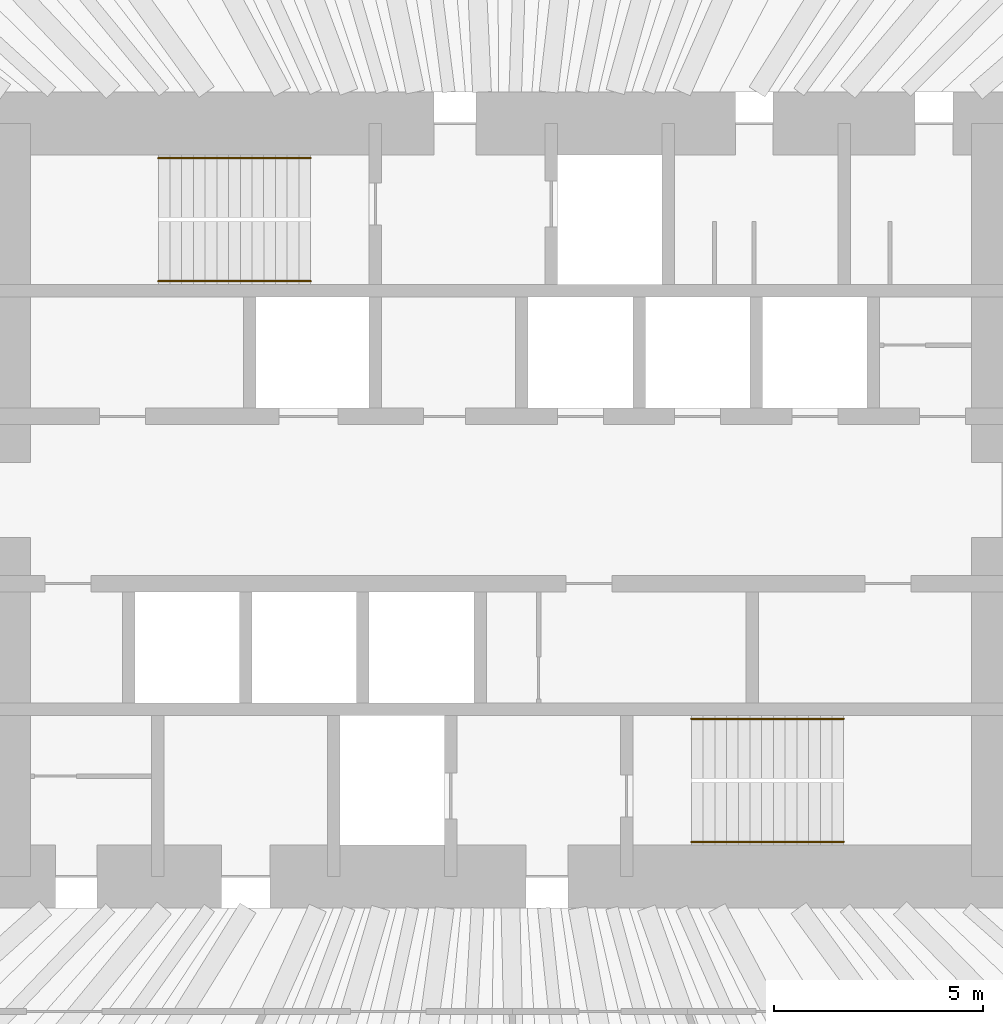
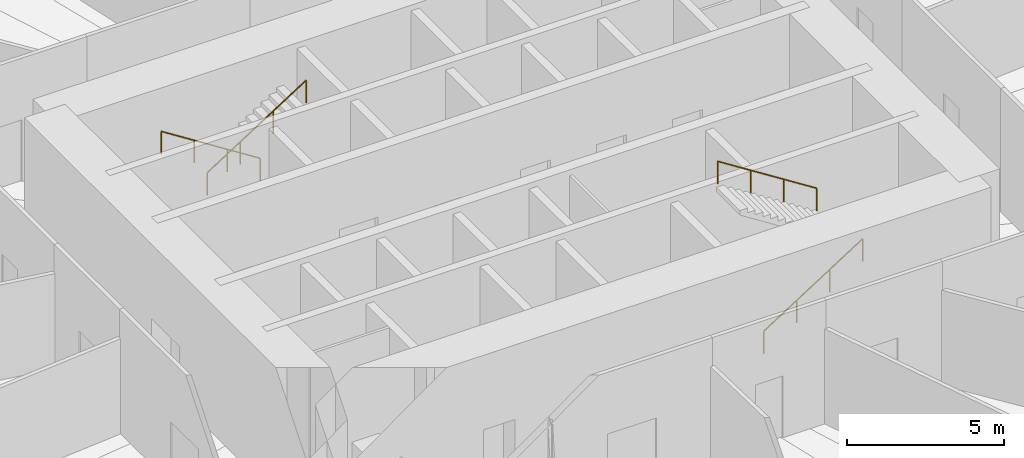
# One storey, part 13 of 13: 4 railings.
"""IFC4 building model written with IfcOpenShell, lengths in metres."""

from ifc_helpers import new_model, si_unit, direction, frame, origin, origin_2d, place, context, subcontext, project, spatial, circle, extrude, material, type_object, element, save


model = new_model("IFC4")

# Units and contexts
model_context = context("Model", 3, precision=1e-05, world=origin(), true_north=direction((0.0, 1.0)))
body_context = subcontext(model_context, "Body", "Model", "MODEL_VIEW")
ifc_project = project(units=[si_unit("LENGTHUNIT", "METRE"), si_unit("AREAUNIT", "SQUARE_METRE"), si_unit("VOLUMEUNIT", "CUBIC_METRE"), si_unit("PLANEANGLEUNIT", "RADIAN"), si_unit("MASSUNIT", "GRAM", prefix="KILO")], contexts=[model_context])

# Site, building, storey
site_placement = place(None, origin())
site = spatial("IfcSite", under=ifc_project, at=site_placement, CompositionType="ELEMENT")
building_placement = place(site_placement, origin())
building = spatial("IfcBuilding", under=site, at=building_placement, Name="Qingtian Harvest Tower", CompositionType="ELEMENT")
storey_placement = place(building_placement, frame((0.0, 0.0, 62.0)))
storey = spatial("IfcBuildingStorey", under=building, at=storey_placement, Name="L12", CompositionType="ELEMENT", Elevation=62.0)

# Railings
ifc_material = material(Name="Stainless steel handrail", Category="steel")
railing_type = type_object("IfcRailingType", Name="Handrail HR1", PredefinedType="HANDRAIL", material=ifc_material)
railing_1_placement = place(storey_placement, frame((-4.550048828125, 8.169921875, 0.178466796875)))
element("IfcRailing", 1, at=railing_1_placement, inside=storey, type_object=railing_type, Name="Handrail HR1 S1 flight 1", PredefinedType="HANDRAIL", context=body_context, shape_type="SweptSolid", body=[
    extrude(circle(Radius=0.02392578125, at=origin_2d()), frame((0.0, 0.0, 0.8759765625), z_axis=(-0.843111507901, 0.0, 0.53773877045), x_axis=(0.0, -1.0, 0.0)), (0.0, 0.0, 1.0), 4.317138671875),
    extrude(circle(Radius=0.02099609375, at=origin_2d()), origin(), (0.0, 0.0, 1.0), 0.851806640625),
    extrude(circle(Radius=0.02099609375, at=origin_2d()), frame((-1.21337890625, 0.0, 0.77392578125)), (0.0, 0.0, 1.0), 0.851806640625),
    extrude(circle(Radius=0.02099609375, at=origin_2d()), frame((-2.426513671875, 0.0, 1.547607421875)), (0.0, 0.0, 1.0), 0.851806640625),
    extrude(circle(Radius=0.02099609375, at=origin_2d()), frame((-3.639892578125, 0.0, 2.321533203125)), (0.0, 0.0, 1.0), 0.851806640625),
])
for number, where, name in (
    (2, (-8.18994140625, 5.22998046875, 2.678466796875), "Handrail HR1 S1 flight 2"),
    (3, (4.550048828125, -8.169921875, 0.178466796875), "Handrail HR1 S2 flight 1"),
):
    element("IfcRailing", number, at=place(storey_placement, frame(where)), inside=storey, type_object=railing_type, Name=name, PredefinedType="HANDRAIL", context=body_context, shape_type="SweptSolid", body=[
        extrude(circle(Radius=0.02392578125, at=origin_2d()), frame((0.0, 0.0, 0.8759765625), z_axis=(0.843111507901, 0.0, 0.53773877045), x_axis=(0.0, 1.0, 0.0)), (0.0, 0.0, 1.0), 4.317138671875),
        extrude(circle(Radius=0.02099609375, at=origin_2d()), origin(), (0.0, 0.0, 1.0), 0.851806640625),
        extrude(circle(Radius=0.02099609375, at=origin_2d()), frame((1.21337890625, 0.0, 0.77392578125)), (0.0, 0.0, 1.0), 0.851806640625),
        extrude(circle(Radius=0.02099609375, at=origin_2d()), frame((2.426513671875, 0.0, 1.547607421875)), (0.0, 0.0, 1.0), 0.851806640625),
        extrude(circle(Radius=0.02099609375, at=origin_2d()), frame((3.639892578125, 0.0, 2.321533203125)), (0.0, 0.0, 1.0), 0.851806640625),
    ])
railing_2_placement = place(storey_placement, frame((8.18994140625, -5.22998046875, 2.678466796875)))
element("IfcRailing", 4, at=railing_2_placement, inside=storey, type_object=railing_type, Name="Handrail HR1 S2 flight 2", PredefinedType="HANDRAIL", context=body_context, shape_type="SweptSolid", body=[
    extrude(circle(Radius=0.02392578125, at=origin_2d()), frame((0.0, 0.0, 0.8759765625), z_axis=(-0.843111507901, 0.0, 0.53773877045), x_axis=(0.0, -1.0, 0.0)), (0.0, 0.0, 1.0), 4.317138671875),
    extrude(circle(Radius=0.02099609375, at=origin_2d()), origin(), (0.0, 0.0, 1.0), 0.851806640625),
    extrude(circle(Radius=0.02099609375, at=origin_2d()), frame((-1.21337890625, 0.0, 0.77392578125)), (0.0, 0.0, 1.0), 0.851806640625),
    extrude(circle(Radius=0.02099609375, at=origin_2d()), frame((-2.426513671875, 0.0, 1.547607421875)), (0.0, 0.0, 1.0), 0.851806640625),
    extrude(circle(Radius=0.02099609375, at=origin_2d()), frame((-3.639892578125, 0.0, 2.321533203125)), (0.0, 0.0, 1.0), 0.851806640625),
])

save(model, "model.ifc")
